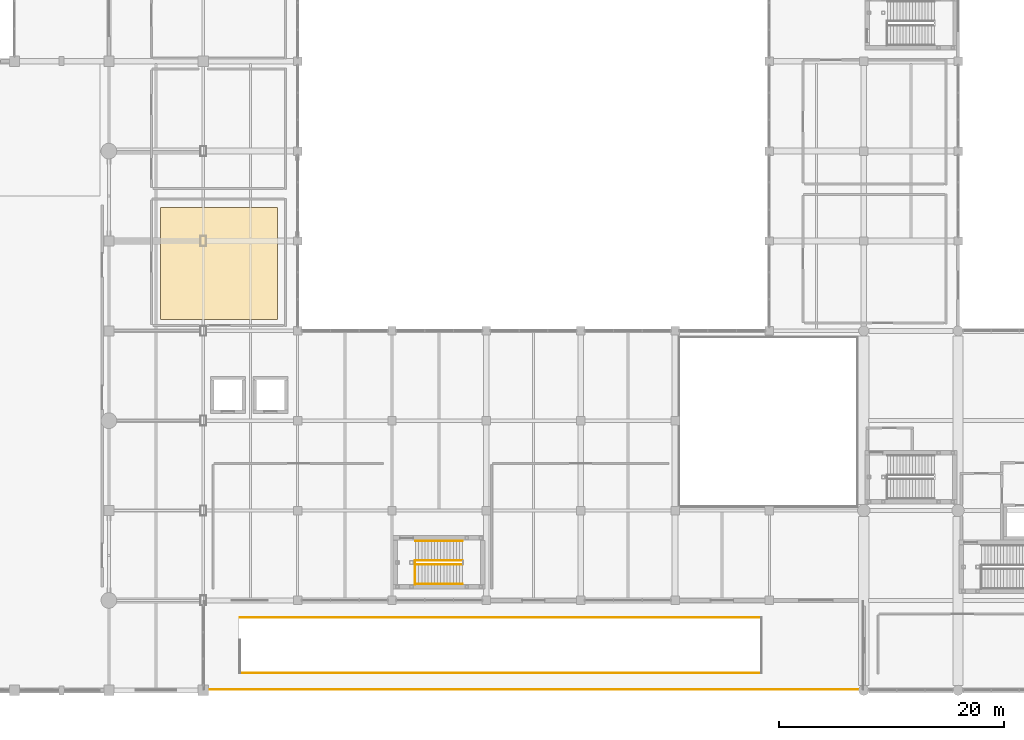
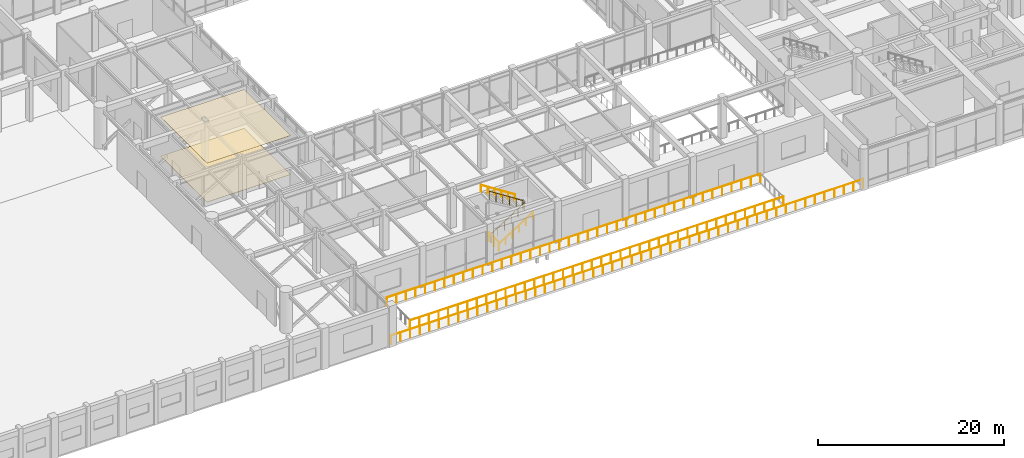
# One storey, part 73 of 79: 8 railings, 2 coverings.
"""IFC4 building model written with IfcOpenShell, lengths in metres."""

from ifc_helpers import new_model, si_unit, direction, frame, origin, origin_2d, place, context, subcontext, project, spatial, polyline, circle, outline, extrude, material, layer, layer_set, type_object, element, save


model = new_model("IFC4")

# Units and contexts
model_context = context("Model", 3, precision=1e-05, world=origin(), true_north=direction((0.0, 1.0)))
body_context = subcontext(model_context, "Body", "Model", "MODEL_VIEW")
ifc_project = project(units=[si_unit("LENGTHUNIT", "METRE"), si_unit("AREAUNIT", "SQUARE_METRE"), si_unit("VOLUMEUNIT", "CUBIC_METRE"), si_unit("PLANEANGLEUNIT", "RADIAN"), si_unit("MASSUNIT", "GRAM", prefix="KILO")], contexts=[model_context])

# Site, building, storey
site_placement = place(None, origin())
site = spatial("IfcSite", under=ifc_project, at=site_placement, CompositionType="ELEMENT")
building_placement = place(site_placement, origin())
building = spatial("IfcBuilding", under=site, at=building_placement, Name="Naruveol Harbour Congress Hotel", CompositionType="ELEMENT")
storey_placement = place(building_placement, frame((0.0, 0.0, 6.0)))
storey = spatial("IfcBuildingStorey", under=building, at=storey_placement, Name="L01", CompositionType="ELEMENT", Elevation=6.0)

# Railings
ifc_material_1 = material(Name="Steel SN490", Category="steel")
ifc_layer_1 = layer(ifc_material_1, 0.050048828125)
ifc_layer_set_1 = layer_set([ifc_layer_1], Name="Steel SN490")
railing_type_1 = type_object("IfcRailingType", Name="GALVANISED STEEL DECK GUARDRAIL 1150", PredefinedType="GUARDRAIL", material=ifc_layer_set_1)
railing_1_placement = place(storey_placement, frame((62.050048828125, 1.52001953125, 0.0)))
element("IfcRailing", 1, at=railing_1_placement, inside=storey, type_object=railing_type_1, Name="Promenade ramp well guard #5", PredefinedType="GUARDRAIL", context=body_context, shape_type="SweptSolid", body=[
    extrude(circle(Radius=0.02392578125, at=origin_2d()), frame((0.0, 0.0, 1.1259765625), z_axis=(1.0, 0.0, 0.0), x_axis=(0.0, 1.0, 0.0)), (0.0, 0.0, 1.0), 46.429931640625),
    extrude(circle(Radius=0.02099609375, at=origin_2d()), origin(), (0.0, 0.0, 1.0), 1.101806640625),
    extrude(circle(Radius=0.02099609375, at=origin_2d()), frame((1.1904296875, 0.0, 0.0)), (0.0, 0.0, 1.0), 1.101806640625),
    extrude(circle(Radius=0.02099609375, at=origin_2d()), frame((2.381103515625, 0.0, 0.0)), (0.0, 0.0, 1.0), 1.101806640625),
    extrude(circle(Radius=0.02099609375, at=origin_2d()), frame((3.571533203125, 0.0, 0.0)), (0.0, 0.0, 1.0), 1.101806640625),
    extrude(circle(Radius=0.02099609375, at=origin_2d()), frame((4.761962890625, 0.0, 0.0)), (0.0, 0.0, 1.0), 1.101806640625),
    extrude(circle(Radius=0.02099609375, at=origin_2d()), frame((5.95263671875, 0.0, 0.0)), (0.0, 0.0, 1.0), 1.101806640625),
    extrude(circle(Radius=0.02099609375, at=origin_2d()), frame((7.14306640625, 0.0, 0.0)), (0.0, 0.0, 1.0), 1.101806640625),
    extrude(circle(Radius=0.02099609375, at=origin_2d()), frame((8.33349609375, 0.0, 0.0)), (0.0, 0.0, 1.0), 1.101806640625),
    extrude(circle(Radius=0.02099609375, at=origin_2d()), frame((9.524169921875, 0.0, 0.0)), (0.0, 0.0, 1.0), 1.101806640625),
    extrude(circle(Radius=0.02099609375, at=origin_2d()), frame((10.714599609375, 0.0, 0.0)), (0.0, 0.0, 1.0), 1.101806640625),
    extrude(circle(Radius=0.02099609375, at=origin_2d()), frame((11.905029296875, 0.0, 0.0)), (0.0, 0.0, 1.0), 1.101806640625),
    extrude(circle(Radius=0.02099609375, at=origin_2d()), frame((13.095703125, 0.0, 0.0)), (0.0, 0.0, 1.0), 1.101806640625),
    extrude(circle(Radius=0.02099609375, at=origin_2d()), frame((14.2861328125, 0.0, 0.0)), (0.0, 0.0, 1.0), 1.101806640625),
    extrude(circle(Radius=0.02099609375, at=origin_2d()), frame((15.4765625, 0.0, 0.0)), (0.0, 0.0, 1.0), 1.101806640625),
    extrude(circle(Radius=0.02099609375, at=origin_2d()), frame((16.667236328125, 0.0, 0.0)), (0.0, 0.0, 1.0), 1.101806640625),
    extrude(circle(Radius=0.02099609375, at=origin_2d()), frame((17.857666015625, 0.0, 0.0)), (0.0, 0.0, 1.0), 1.101806640625),
    extrude(circle(Radius=0.02099609375, at=origin_2d()), frame((19.048095703125, 0.0, 0.0)), (0.0, 0.0, 1.0), 1.101806640625),
    extrude(circle(Radius=0.02099609375, at=origin_2d()), frame((20.23876953125, 0.0, 0.0)), (0.0, 0.0, 1.0), 1.101806640625),
    extrude(circle(Radius=0.02099609375, at=origin_2d()), frame((21.42919921875, 0.0, 0.0)), (0.0, 0.0, 1.0), 1.101806640625),
    extrude(circle(Radius=0.02099609375, at=origin_2d()), frame((22.61962890625, 0.0, 0.0)), (0.0, 0.0, 1.0), 1.101806640625),
    extrude(circle(Radius=0.02099609375, at=origin_2d()), frame((23.810302734375, 0.0, 0.0)), (0.0, 0.0, 1.0), 1.101806640625),
    extrude(circle(Radius=0.02099609375, at=origin_2d()), frame((25.000732421875, 0.0, 0.0)), (0.0, 0.0, 1.0), 1.101806640625),
    extrude(circle(Radius=0.02099609375, at=origin_2d()), frame((26.191162109375, 0.0, 0.0)), (0.0, 0.0, 1.0), 1.101806640625),
    extrude(circle(Radius=0.02099609375, at=origin_2d()), frame((27.3818359375, 0.0, 0.0)), (0.0, 0.0, 1.0), 1.101806640625),
    extrude(circle(Radius=0.02099609375, at=origin_2d()), frame((28.572265625, 0.0, 0.0)), (0.0, 0.0, 1.0), 1.101806640625),
    extrude(circle(Radius=0.02099609375, at=origin_2d()), frame((29.7626953125, 0.0, 0.0)), (0.0, 0.0, 1.0), 1.101806640625),
    extrude(circle(Radius=0.02099609375, at=origin_2d()), frame((30.953369140625, 0.0, 0.0)), (0.0, 0.0, 1.0), 1.101806640625),
    extrude(circle(Radius=0.02099609375, at=origin_2d()), frame((32.143798828125, 0.0, 0.0)), (0.0, 0.0, 1.0), 1.101806640625),
    extrude(circle(Radius=0.02099609375, at=origin_2d()), frame((33.334228515625, 0.0, 0.0)), (0.0, 0.0, 1.0), 1.101806640625),
    extrude(circle(Radius=0.02099609375, at=origin_2d()), frame((34.52490234375, 0.0, 0.0)), (0.0, 0.0, 1.0), 1.101806640625),
    extrude(circle(Radius=0.02099609375, at=origin_2d()), frame((35.71533203125, 0.0, 0.0)), (0.0, 0.0, 1.0), 1.101806640625),
    extrude(circle(Radius=0.02099609375, at=origin_2d()), frame((36.90576171875, 0.0, 0.0)), (0.0, 0.0, 1.0), 1.101806640625),
    extrude(circle(Radius=0.02099609375, at=origin_2d()), frame((38.096435546875, 0.0, 0.0)), (0.0, 0.0, 1.0), 1.101806640625),
    extrude(circle(Radius=0.02099609375, at=origin_2d()), frame((39.286865234375, 0.0, 0.0)), (0.0, 0.0, 1.0), 1.101806640625),
    extrude(circle(Radius=0.02099609375, at=origin_2d()), frame((40.477294921875, 0.0, 0.0)), (0.0, 0.0, 1.0), 1.101806640625),
    extrude(circle(Radius=0.02099609375, at=origin_2d()), frame((41.66796875, 0.0, 0.0)), (0.0, 0.0, 1.0), 1.101806640625),
    extrude(circle(Radius=0.02099609375, at=origin_2d()), frame((42.8583984375, 0.0, 0.0)), (0.0, 0.0, 1.0), 1.101806640625),
    extrude(circle(Radius=0.02099609375, at=origin_2d()), frame((44.048828125, 0.0, 0.0)), (0.0, 0.0, 1.0), 1.101806640625),
    extrude(circle(Radius=0.02099609375, at=origin_2d()), frame((45.239501953125, 0.0, 0.0)), (0.0, 0.0, 1.0), 1.101806640625),
    extrude(circle(Radius=0.02099609375, at=origin_2d()), frame((46.429931640625, 0.0, 0.0)), (0.0, 0.0, 1.0), 1.101806640625),
])
railing_2_placement = place(storey_placement, frame((108.47998046875, 6.47998046875, 0.0)))
element("IfcRailing", 2, at=railing_2_placement, inside=storey, type_object=railing_type_1, Name="Promenade ramp well guard #7", PredefinedType="GUARDRAIL", context=body_context, shape_type="SweptSolid", body=[
    extrude(circle(Radius=0.02392578125, at=origin_2d()), frame((0.0, 0.0, 1.1259765625), z_axis=(-1.0, 0.0, 0.0), x_axis=(0.0, -1.0, 0.0)), (0.0, 0.0, 1.0), 46.429931640625),
    extrude(circle(Radius=0.02099609375, at=origin_2d()), origin(), (0.0, 0.0, 1.0), 1.101806640625),
    extrude(circle(Radius=0.02099609375, at=origin_2d()), frame((-1.1904296875, 0.0, 0.0)), (0.0, 0.0, 1.0), 1.101806640625),
    extrude(circle(Radius=0.02099609375, at=origin_2d()), frame((-2.381103515625, 0.0, 0.0)), (0.0, 0.0, 1.0), 1.101806640625),
    extrude(circle(Radius=0.02099609375, at=origin_2d()), frame((-3.571533203125, 0.0, 0.0)), (0.0, 0.0, 1.0), 1.101806640625),
    extrude(circle(Radius=0.02099609375, at=origin_2d()), frame((-4.761962890625, 0.0, 0.0)), (0.0, 0.0, 1.0), 1.101806640625),
    extrude(circle(Radius=0.02099609375, at=origin_2d()), frame((-5.95263671875, 0.0, 0.0)), (0.0, 0.0, 1.0), 1.101806640625),
    extrude(circle(Radius=0.02099609375, at=origin_2d()), frame((-7.14306640625, 0.0, 0.0)), (0.0, 0.0, 1.0), 1.101806640625),
    extrude(circle(Radius=0.02099609375, at=origin_2d()), frame((-8.33349609375, 0.0, 0.0)), (0.0, 0.0, 1.0), 1.101806640625),
    extrude(circle(Radius=0.02099609375, at=origin_2d()), frame((-9.524169921875, 0.0, 0.0)), (0.0, 0.0, 1.0), 1.101806640625),
    extrude(circle(Radius=0.02099609375, at=origin_2d()), frame((-10.714599609375, 0.0, 0.0)), (0.0, 0.0, 1.0), 1.101806640625),
    extrude(circle(Radius=0.02099609375, at=origin_2d()), frame((-11.905029296875, 0.0, 0.0)), (0.0, 0.0, 1.0), 1.101806640625),
    extrude(circle(Radius=0.02099609375, at=origin_2d()), frame((-13.095703125, 0.0, 0.0)), (0.0, 0.0, 1.0), 1.101806640625),
    extrude(circle(Radius=0.02099609375, at=origin_2d()), frame((-14.2861328125, 0.0, 0.0)), (0.0, 0.0, 1.0), 1.101806640625),
    extrude(circle(Radius=0.02099609375, at=origin_2d()), frame((-15.4765625, 0.0, 0.0)), (0.0, 0.0, 1.0), 1.101806640625),
    extrude(circle(Radius=0.02099609375, at=origin_2d()), frame((-16.667236328125, 0.0, 0.0)), (0.0, 0.0, 1.0), 1.101806640625),
    extrude(circle(Radius=0.02099609375, at=origin_2d()), frame((-17.857666015625, 0.0, 0.0)), (0.0, 0.0, 1.0), 1.101806640625),
    extrude(circle(Radius=0.02099609375, at=origin_2d()), frame((-19.048095703125, 0.0, 0.0)), (0.0, 0.0, 1.0), 1.101806640625),
    extrude(circle(Radius=0.02099609375, at=origin_2d()), frame((-20.23876953125, 0.0, 0.0)), (0.0, 0.0, 1.0), 1.101806640625),
    extrude(circle(Radius=0.02099609375, at=origin_2d()), frame((-21.42919921875, 0.0, 0.0)), (0.0, 0.0, 1.0), 1.101806640625),
    extrude(circle(Radius=0.02099609375, at=origin_2d()), frame((-22.61962890625, 0.0, 0.0)), (0.0, 0.0, 1.0), 1.101806640625),
    extrude(circle(Radius=0.02099609375, at=origin_2d()), frame((-23.810302734375, 0.0, 0.0)), (0.0, 0.0, 1.0), 1.101806640625),
    extrude(circle(Radius=0.02099609375, at=origin_2d()), frame((-25.000732421875, 0.0, 0.0)), (0.0, 0.0, 1.0), 1.101806640625),
    extrude(circle(Radius=0.02099609375, at=origin_2d()), frame((-26.191162109375, 0.0, 0.0)), (0.0, 0.0, 1.0), 1.101806640625),
    extrude(circle(Radius=0.02099609375, at=origin_2d()), frame((-27.3818359375, 0.0, 0.0)), (0.0, 0.0, 1.0), 1.101806640625),
    extrude(circle(Radius=0.02099609375, at=origin_2d()), frame((-28.572265625, 0.0, 0.0)), (0.0, 0.0, 1.0), 1.101806640625),
    extrude(circle(Radius=0.02099609375, at=origin_2d()), frame((-29.7626953125, 0.0, 0.0)), (0.0, 0.0, 1.0), 1.101806640625),
    extrude(circle(Radius=0.02099609375, at=origin_2d()), frame((-30.953369140625, 0.0, 0.0)), (0.0, 0.0, 1.0), 1.101806640625),
    extrude(circle(Radius=0.02099609375, at=origin_2d()), frame((-32.143798828125, 0.0, 0.0)), (0.0, 0.0, 1.0), 1.101806640625),
    extrude(circle(Radius=0.02099609375, at=origin_2d()), frame((-33.334228515625, 0.0, 0.0)), (0.0, 0.0, 1.0), 1.101806640625),
    extrude(circle(Radius=0.02099609375, at=origin_2d()), frame((-34.52490234375, 0.0, 0.0)), (0.0, 0.0, 1.0), 1.101806640625),
    extrude(circle(Radius=0.02099609375, at=origin_2d()), frame((-35.71533203125, 0.0, 0.0)), (0.0, 0.0, 1.0), 1.101806640625),
    extrude(circle(Radius=0.02099609375, at=origin_2d()), frame((-36.90576171875, 0.0, 0.0)), (0.0, 0.0, 1.0), 1.101806640625),
    extrude(circle(Radius=0.02099609375, at=origin_2d()), frame((-38.096435546875, 0.0, 0.0)), (0.0, 0.0, 1.0), 1.101806640625),
    extrude(circle(Radius=0.02099609375, at=origin_2d()), frame((-39.286865234375, 0.0, 0.0)), (0.0, 0.0, 1.0), 1.101806640625),
    extrude(circle(Radius=0.02099609375, at=origin_2d()), frame((-40.477294921875, 0.0, 0.0)), (0.0, 0.0, 1.0), 1.101806640625),
    extrude(circle(Radius=0.02099609375, at=origin_2d()), frame((-41.66796875, 0.0, 0.0)), (0.0, 0.0, 1.0), 1.101806640625),
    extrude(circle(Radius=0.02099609375, at=origin_2d()), frame((-42.8583984375, 0.0, 0.0)), (0.0, 0.0, 1.0), 1.101806640625),
    extrude(circle(Radius=0.02099609375, at=origin_2d()), frame((-44.048828125, 0.0, 0.0)), (0.0, 0.0, 1.0), 1.101806640625),
    extrude(circle(Radius=0.02099609375, at=origin_2d()), frame((-45.239501953125, 0.0, 0.0)), (0.0, 0.0, 1.0), 1.101806640625),
    extrude(circle(Radius=0.02099609375, at=origin_2d()), frame((-46.429931640625, 0.0, 0.0)), (0.0, 0.0, 1.0), 1.101806640625),
])
ifc_material_2 = material(Name="Tempered Laminated Safety Glass & Stainless Steel", Category="steel")
ifc_layer_2 = layer(ifc_material_2, 0.06005859375)
ifc_layer_set_2 = layer_set([ifc_layer_2], Name="Tempered Laminated Safety Glass & Stainless Steel")
railing_type_2 = type_object("IfcRailingType", Name="LAMINATED GLASS TERRACE BALUSTRADE 1150", PredefinedType="BALUSTRADE", material=ifc_layer_set_2)
railing_3_placement = place(storey_placement, frame((58.85009765625, 0.080078125, 0.0)))
element("IfcRailing", 3, at=railing_3_placement, inside=storey, type_object=railing_type_2, Name="Promenade deck outer balustrade #2", PredefinedType="BALUSTRADE", context=body_context, shape_type="SweptSolid", body=[
    extrude(circle(Radius=0.02392578125, at=origin_2d()), frame((0.0, 0.0, 1.1259765625), z_axis=(1.0, 0.0, 0.0), x_axis=(0.0, 1.0, 0.0)), (0.0, 0.0, 1.0), 58.699951171875),
    extrude(circle(Radius=0.02099609375, at=origin_2d()), origin(), (0.0, 0.0, 1.0), 1.101806640625),
    extrude(circle(Radius=0.02099609375, at=origin_2d()), frame((1.197998046875, 0.0, 0.0)), (0.0, 0.0, 1.0), 1.101806640625),
    extrude(circle(Radius=0.02099609375, at=origin_2d()), frame((2.39599609375, 0.0, 0.0)), (0.0, 0.0, 1.0), 1.101806640625),
    extrude(circle(Radius=0.02099609375, at=origin_2d()), frame((3.593994140625, 0.0, 0.0)), (0.0, 0.0, 1.0), 1.101806640625),
    extrude(circle(Radius=0.02099609375, at=origin_2d()), frame((4.791748046875, 0.0, 0.0)), (0.0, 0.0, 1.0), 1.101806640625),
    extrude(circle(Radius=0.02099609375, at=origin_2d()), frame((5.98974609375, 0.0, 0.0)), (0.0, 0.0, 1.0), 1.101806640625),
    extrude(circle(Radius=0.02099609375, at=origin_2d()), frame((7.187744140625, 0.0, 0.0)), (0.0, 0.0, 1.0), 1.101806640625),
    extrude(circle(Radius=0.02099609375, at=origin_2d()), frame((8.3857421875, 0.0, 0.0)), (0.0, 0.0, 1.0), 1.101806640625),
    extrude(circle(Radius=0.02099609375, at=origin_2d()), frame((9.583740234375, 0.0, 0.0)), (0.0, 0.0, 1.0), 1.101806640625),
    extrude(circle(Radius=0.02099609375, at=origin_2d()), frame((10.78173828125, 0.0, 0.0)), (0.0, 0.0, 1.0), 1.101806640625),
    extrude(circle(Radius=0.02099609375, at=origin_2d()), frame((11.9794921875, 0.0, 0.0)), (0.0, 0.0, 1.0), 1.101806640625),
    extrude(circle(Radius=0.02099609375, at=origin_2d()), frame((13.177490234375, 0.0, 0.0)), (0.0, 0.0, 1.0), 1.101806640625),
    extrude(circle(Radius=0.02099609375, at=origin_2d()), frame((14.37548828125, 0.0, 0.0)), (0.0, 0.0, 1.0), 1.101806640625),
    extrude(circle(Radius=0.02099609375, at=origin_2d()), frame((15.573486328125, 0.0, 0.0)), (0.0, 0.0, 1.0), 1.101806640625),
    extrude(circle(Radius=0.02099609375, at=origin_2d()), frame((16.771484375, 0.0, 0.0)), (0.0, 0.0, 1.0), 1.101806640625),
    extrude(circle(Radius=0.02099609375, at=origin_2d()), frame((17.969482421875, 0.0, 0.0)), (0.0, 0.0, 1.0), 1.101806640625),
    extrude(circle(Radius=0.02099609375, at=origin_2d()), frame((19.167236328125, 0.0, 0.0)), (0.0, 0.0, 1.0), 1.101806640625),
    extrude(circle(Radius=0.02099609375, at=origin_2d()), frame((20.365234375, 0.0, 0.0)), (0.0, 0.0, 1.0), 1.101806640625),
    extrude(circle(Radius=0.02099609375, at=origin_2d()), frame((21.563232421875, 0.0, 0.0)), (0.0, 0.0, 1.0), 1.101806640625),
    extrude(circle(Radius=0.02099609375, at=origin_2d()), frame((22.76123046875, 0.0, 0.0)), (0.0, 0.0, 1.0), 1.101806640625),
    extrude(circle(Radius=0.02099609375, at=origin_2d()), frame((23.959228515625, 0.0, 0.0)), (0.0, 0.0, 1.0), 1.101806640625),
    extrude(circle(Radius=0.02099609375, at=origin_2d()), frame((25.1572265625, 0.0, 0.0)), (0.0, 0.0, 1.0), 1.101806640625),
    extrude(circle(Radius=0.02099609375, at=origin_2d()), frame((26.35498046875, 0.0, 0.0)), (0.0, 0.0, 1.0), 1.101806640625),
    extrude(circle(Radius=0.02099609375, at=origin_2d()), frame((27.552978515625, 0.0, 0.0)), (0.0, 0.0, 1.0), 1.101806640625),
    extrude(circle(Radius=0.02099609375, at=origin_2d()), frame((28.7509765625, 0.0, 0.0)), (0.0, 0.0, 1.0), 1.101806640625),
    extrude(circle(Radius=0.02099609375, at=origin_2d()), frame((29.948974609375, 0.0, 0.0)), (0.0, 0.0, 1.0), 1.101806640625),
    extrude(circle(Radius=0.02099609375, at=origin_2d()), frame((31.14697265625, 0.0, 0.0)), (0.0, 0.0, 1.0), 1.101806640625),
    extrude(circle(Radius=0.02099609375, at=origin_2d()), frame((32.344970703125, 0.0, 0.0)), (0.0, 0.0, 1.0), 1.101806640625),
    extrude(circle(Radius=0.02099609375, at=origin_2d()), frame((33.542724609375, 0.0, 0.0)), (0.0, 0.0, 1.0), 1.101806640625),
    extrude(circle(Radius=0.02099609375, at=origin_2d()), frame((34.74072265625, 0.0, 0.0)), (0.0, 0.0, 1.0), 1.101806640625),
    extrude(circle(Radius=0.02099609375, at=origin_2d()), frame((35.938720703125, 0.0, 0.0)), (0.0, 0.0, 1.0), 1.101806640625),
    extrude(circle(Radius=0.02099609375, at=origin_2d()), frame((37.13671875, 0.0, 0.0)), (0.0, 0.0, 1.0), 1.101806640625),
    extrude(circle(Radius=0.02099609375, at=origin_2d()), frame((38.334716796875, 0.0, 0.0)), (0.0, 0.0, 1.0), 1.101806640625),
    extrude(circle(Radius=0.02099609375, at=origin_2d()), frame((39.53271484375, 0.0, 0.0)), (0.0, 0.0, 1.0), 1.101806640625),
    extrude(circle(Radius=0.02099609375, at=origin_2d()), frame((40.73046875, 0.0, 0.0)), (0.0, 0.0, 1.0), 1.101806640625),
    extrude(circle(Radius=0.02099609375, at=origin_2d()), frame((41.928466796875, 0.0, 0.0)), (0.0, 0.0, 1.0), 1.101806640625),
    extrude(circle(Radius=0.02099609375, at=origin_2d()), frame((43.12646484375, 0.0, 0.0)), (0.0, 0.0, 1.0), 1.101806640625),
    extrude(circle(Radius=0.02099609375, at=origin_2d()), frame((44.324462890625, 0.0, 0.0)), (0.0, 0.0, 1.0), 1.101806640625),
    extrude(circle(Radius=0.02099609375, at=origin_2d()), frame((45.5224609375, 0.0, 0.0)), (0.0, 0.0, 1.0), 1.101806640625),
    extrude(circle(Radius=0.02099609375, at=origin_2d()), frame((46.720458984375, 0.0, 0.0)), (0.0, 0.0, 1.0), 1.101806640625),
    extrude(circle(Radius=0.02099609375, at=origin_2d()), frame((47.918212890625, 0.0, 0.0)), (0.0, 0.0, 1.0), 1.101806640625),
    extrude(circle(Radius=0.02099609375, at=origin_2d()), frame((49.1162109375, 0.0, 0.0)), (0.0, 0.0, 1.0), 1.101806640625),
    extrude(circle(Radius=0.02099609375, at=origin_2d()), frame((50.314208984375, 0.0, 0.0)), (0.0, 0.0, 1.0), 1.101806640625),
    extrude(circle(Radius=0.02099609375, at=origin_2d()), frame((51.51220703125, 0.0, 0.0)), (0.0, 0.0, 1.0), 1.101806640625),
    extrude(circle(Radius=0.02099609375, at=origin_2d()), frame((52.710205078125, 0.0, 0.0)), (0.0, 0.0, 1.0), 1.101806640625),
    extrude(circle(Radius=0.02099609375, at=origin_2d()), frame((53.908203125, 0.0, 0.0)), (0.0, 0.0, 1.0), 1.101806640625),
    extrude(circle(Radius=0.02099609375, at=origin_2d()), frame((55.10595703125, 0.0, 0.0)), (0.0, 0.0, 1.0), 1.101806640625),
    extrude(circle(Radius=0.02099609375, at=origin_2d()), frame((56.303955078125, 0.0, 0.0)), (0.0, 0.0, 1.0), 1.101806640625),
    extrude(circle(Radius=0.02099609375, at=origin_2d()), frame((57.501953125, 0.0, 0.0)), (0.0, 0.0, 1.0), 1.101806640625),
    extrude(circle(Radius=0.02099609375, at=origin_2d()), frame((58.699951171875, 0.0, 0.0)), (0.0, 0.0, 1.0), 1.101806640625),
])

# Covering
ifc_material_3 = material(Name="Polished Terrazzo & Engineered Oak", Category="stone")
ifc_layer_3 = layer(ifc_material_3, 0.02490234375)
ifc_layer_set_3 = layer_set([ifc_layer_3], Name="Polished Terrazzo & Engineered Oak")
covering_type_1 = type_object("IfcCoveringType", Name="POLISHED TERRAZZO AND OAK FLOORING 25", PredefinedType="FLOORING", material=ifc_layer_set_3)
covering_1_placement = place(storey_placement, origin())
element("IfcCovering", 4, at=covering_1_placement, inside=storey, type_object=covering_type_1, Name="Meeting Room 101 Acoustic Flooring", PredefinedType="FLOORING", context=body_context, shape_type="SweptSolid", body=[
    extrude(outline(polyline([(55.0, 33.0), (65.39990234375, 33.0), (65.39990234375, 43.0), (55.0, 43.0), (55.0, 33.0)])), origin(), (0.0, 0.0, 1.0), 0.02490234375),
])

# Railings
ifc_material_4 = material(Name="Stainless Steel 304", Category="steel")
ifc_layer_4 = layer(ifc_material_4, 0.0419921875)
ifc_layer_set_4 = layer_set([ifc_layer_4], Name="Stainless Steel 304")
railing_type_3 = type_object("IfcRailingType", Name="STAIR WALL MOUNTED HANDRAIL 900", PredefinedType="HANDRAIL", material=ifc_layer_set_4)
railing_4_placement = place(storey_placement, frame((77.699951171875, 9.4599609375, 0.0)))
element("IfcRailing", 5, at=railing_4_placement, inside=storey, type_object=railing_type_3, Name="Stair ST10 L01 lower wall handrail", PredefinedType="HANDRAIL", context=body_context, shape_type="SweptSolid", body=[
    extrude(circle(Radius=0.02392578125, at=origin_2d()), frame((0.0, 0.0, 0.8759765625), z_axis=(0.841180064094, 0.0, 0.540755119968), x_axis=(0.0, 1.0, 0.0)), (0.0, 0.0, 1.0), 4.992919921875),
    extrude(circle(Radius=0.02099609375, at=origin_2d()), origin(), (0.0, 0.0, 1.0), 0.851806640625),
    extrude(circle(Radius=0.02099609375, at=origin_2d()), frame((0.840087890625, 0.0, 0.5400390625)), (0.0, 0.0, 1.0), 0.851806640625),
    extrude(circle(Radius=0.02099609375, at=origin_2d()), frame((1.679931640625, 0.0, 1.080078125)), (0.0, 0.0, 1.0), 0.851806640625),
    extrude(circle(Radius=0.02099609375, at=origin_2d()), frame((2.52001953125, 0.0, 1.619873046875)), (0.0, 0.0, 1.0), 0.851806640625),
    extrude(circle(Radius=0.02099609375, at=origin_2d()), frame((3.35986328125, 0.0, 2.159912109375)), (0.0, 0.0, 1.0), 0.851806640625),
    extrude(circle(Radius=0.02099609375, at=origin_2d()), frame((4.199951171875, 0.0, 2.699951171875)), (0.0, 0.0, 1.0), 0.851806640625),
])
railing_5_placement = place(storey_placement, frame((81.89990234375, 13.300048828125, 2.699951171875)))
element("IfcRailing", 6, at=railing_5_placement, inside=storey, type_object=railing_type_3, Name="Stair ST10 L01 upper wall handrail", PredefinedType="HANDRAIL", context=body_context, shape_type="SweptSolid", body=[
    extrude(circle(Radius=0.02392578125, at=origin_2d()), frame((0.0, 0.0, 0.8759765625), z_axis=(-0.841180064094, 0.0, 0.540755119968), x_axis=(0.0, -1.0, 0.0)), (0.0, 0.0, 1.0), 4.992919921875),
    extrude(circle(Radius=0.02099609375, at=origin_2d()), origin(), (0.0, 0.0, 1.0), 0.851806640625),
    extrude(circle(Radius=0.02099609375, at=origin_2d()), frame((-0.840087890625, 0.0, 0.5400390625)), (0.0, 0.0, 1.0), 0.851806640625),
    extrude(circle(Radius=0.02099609375, at=origin_2d()), frame((-1.679931640625, 0.0, 1.080078125)), (0.0, 0.0, 1.0), 0.851806640625),
    extrude(circle(Radius=0.02099609375, at=origin_2d()), frame((-2.52001953125, 0.0, 1.619873046875)), (0.0, 0.0, 1.0), 0.851806640625),
    extrude(circle(Radius=0.02099609375, at=origin_2d()), frame((-3.35986328125, 0.0, 2.159912109375)), (0.0, 0.0, 1.0), 0.851806640625),
    extrude(circle(Radius=0.02099609375, at=origin_2d()), frame((-4.199951171875, 0.0, 2.699951171875)), (0.0, 0.0, 1.0), 0.851806640625),
])
ifc_material_5 = material(Name="Steel SN490", Category="steel")
ifc_layer_5 = layer(ifc_material_5, 0.044921875)
ifc_layer_set_5 = layer_set([ifc_layer_5], Name="Steel SN490")
railing_type_4 = type_object("IfcRailingType", Name="STAIRWELL STEEL GUARDRAIL 1150", PredefinedType="GUARDRAIL", material=ifc_layer_set_5)
railing_6_placement = place(storey_placement, frame((77.699951171875, 11.18994140625, 0.0)))
element("IfcRailing", 7, at=railing_6_placement, inside=storey, type_object=railing_type_4, Name="Stair ST10 L01 lower well guard", PredefinedType="GUARDRAIL", context=body_context, shape_type="SweptSolid", body=[
    extrude(circle(Radius=0.02392578125, at=origin_2d()), frame((0.0, 0.0, 1.1259765625), z_axis=(0.841180064094, 0.0, 0.540755119968), x_axis=(0.0, 1.0, 0.0)), (0.0, 0.0, 1.0), 4.992919921875),
    extrude(circle(Radius=0.02099609375, at=origin_2d()), origin(), (0.0, 0.0, 1.0), 1.101806640625),
    extrude(circle(Radius=0.02099609375, at=origin_2d()), frame((0.840087890625, 0.0, 0.5400390625)), (0.0, 0.0, 1.0), 1.101806640625),
    extrude(circle(Radius=0.02099609375, at=origin_2d()), frame((1.679931640625, 0.0, 1.080078125)), (0.0, 0.0, 1.0), 1.101806640625),
    extrude(circle(Radius=0.02099609375, at=origin_2d()), frame((2.52001953125, 0.0, 1.619873046875)), (0.0, 0.0, 1.0), 1.101806640625),
    extrude(circle(Radius=0.02099609375, at=origin_2d()), frame((3.35986328125, 0.0, 2.159912109375)), (0.0, 0.0, 1.0), 1.101806640625),
    extrude(circle(Radius=0.02099609375, at=origin_2d()), frame((4.199951171875, 0.0, 2.699951171875)), (0.0, 0.0, 1.0), 1.101806640625),
])
railing_7_placement = place(storey_placement, frame((81.89990234375, 11.570068359375, 2.699951171875)))
element("IfcRailing", 8, at=railing_7_placement, inside=storey, type_object=railing_type_4, Name="Stair ST10 L01 upper well guard", PredefinedType="GUARDRAIL", context=body_context, shape_type="SweptSolid", body=[
    extrude(circle(Radius=0.02392578125, at=origin_2d()), frame((0.0, 0.0, 1.1259765625), z_axis=(-0.841180064094, 0.0, 0.540755119968), x_axis=(0.0, -1.0, 0.0)), (0.0, 0.0, 1.0), 4.992919921875),
    extrude(circle(Radius=0.02099609375, at=origin_2d()), origin(), (0.0, 0.0, 1.0), 1.101806640625),
    extrude(circle(Radius=0.02099609375, at=origin_2d()), frame((-0.840087890625, 0.0, 0.5400390625)), (0.0, 0.0, 1.0), 1.101806640625),
    extrude(circle(Radius=0.02099609375, at=origin_2d()), frame((-1.679931640625, 0.0, 1.080078125)), (0.0, 0.0, 1.0), 1.101806640625),
    extrude(circle(Radius=0.02099609375, at=origin_2d()), frame((-2.52001953125, 0.0, 1.619873046875)), (0.0, 0.0, 1.0), 1.101806640625),
    extrude(circle(Radius=0.02099609375, at=origin_2d()), frame((-3.35986328125, 0.0, 2.159912109375)), (0.0, 0.0, 1.0), 1.101806640625),
    extrude(circle(Radius=0.02099609375, at=origin_2d()), frame((-4.199951171875, 0.0, 2.699951171875)), (0.0, 0.0, 1.0), 1.101806640625),
])
railing_8_placement = place(storey_placement, frame((77.659912109375, 9.419921875, 0.0)))
element("IfcRailing", 9, at=railing_8_placement, inside=storey, type_object=railing_type_4, Name="Stair ST10 L01 landing well guard", PredefinedType="GUARDRAIL", context=body_context, shape_type="SweptSolid", body=[
    extrude(circle(Radius=0.02392578125, at=origin_2d()), frame((0.0, 0.0, 1.1259765625), z_axis=(0.0, 1.0, 0.0), x_axis=(-1.0, 0.0, 0.0)), (0.0, 0.0, 1.0), 2.150146484375),
    extrude(circle(Radius=0.02099609375, at=origin_2d()), origin(), (0.0, 0.0, 1.0), 1.101806640625),
    extrude(circle(Radius=0.02099609375, at=origin_2d()), frame((0.0, 1.0751953125, 0.0)), (0.0, 0.0, 1.0), 1.101806640625),
    extrude(circle(Radius=0.02099609375, at=origin_2d()), frame((0.0, 2.150146484375, 0.0)), (0.0, 0.0, 1.0), 1.101806640625),
])

# Covering
ifc_material_6 = material(Name="Acoustic Engineered Timber Slats", Category="wood")
ifc_layer_6 = layer(ifc_material_6, 0.034912109375)
ifc_layer_set_6 = layer_set([ifc_layer_6], Name="Acoustic Engineered Timber Slats")
covering_type_2 = type_object("IfcCoveringType", Name="SUSPENDED PERFORATED TIMBER ACOUSTIC CEILING 35", PredefinedType="CEILING", material=ifc_layer_set_6)
covering_2_placement = place(storey_placement, frame((0.0, 0.0, 5.114990234375)))
element("IfcCovering", 10, at=covering_2_placement, inside=storey, type_object=covering_type_2, Name="Meeting Room 101 Acoustic Ceiling", PredefinedType="CEILING", context=body_context, shape_type="SweptSolid", body=[
    extrude(outline(polyline([(55.0, 33.0), (65.39990234375, 33.0), (65.39990234375, 43.0), (55.0, 43.0), (55.0, 33.0)])), origin(), (0.0, 0.0, 1.0), 0.034912109375),
])

save(model, "model.ifc")
